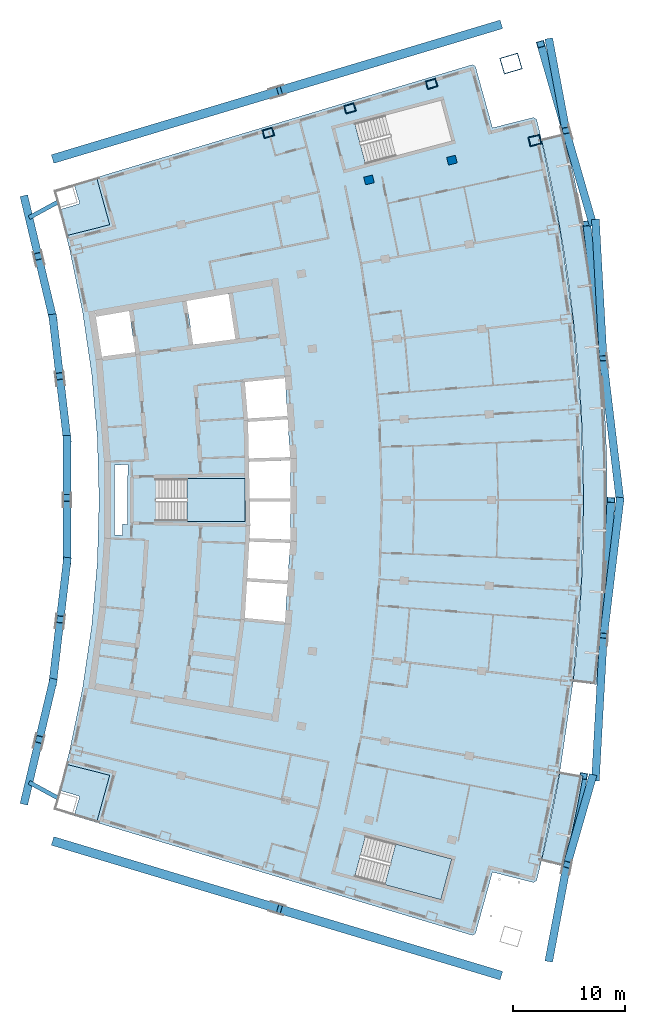
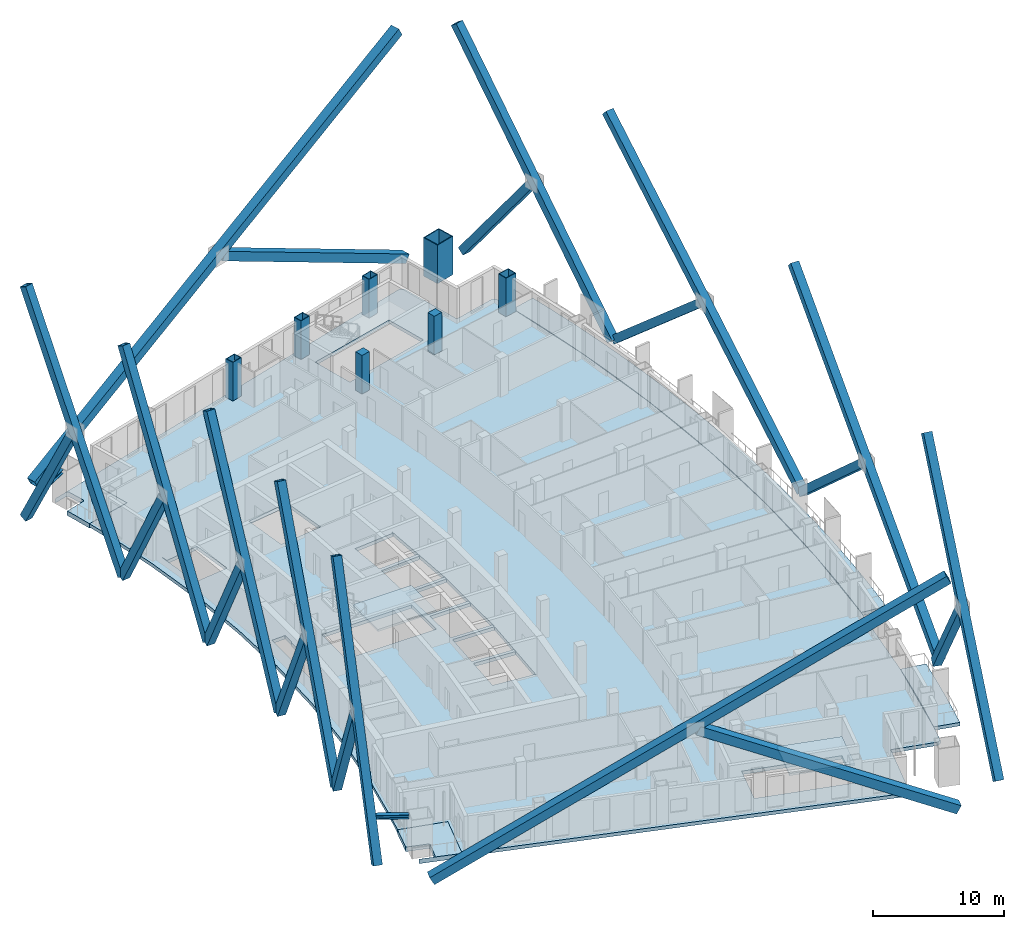
# One storey, part 8 of 20: 24 members, 7 columns, 7 slabs, 2 elements without a shape of their own.
"""IFC4 building model written with IfcOpenShell, lengths in metres."""

from ifc_helpers import new_model, si_unit, direction, frame, origin, origin_2d, place, context, subcontext, project, spatial, polyline, rectangle, hollow_rectangle, i_section, outline, extrude, material, layer, layer_set, material_profile, profile_set, type_object, element, aggregate, save


model = new_model("IFC4")

# Units and contexts
model_context = context("Model", 3, precision=1e-05, world=origin(), true_north=direction((0.0, 1.0)))
body_context = subcontext(model_context, "Body", "Model", "MODEL_VIEW")
ifc_project = project(units=[si_unit("LENGTHUNIT", "METRE"), si_unit("AREAUNIT", "SQUARE_METRE"), si_unit("VOLUMEUNIT", "CUBIC_METRE"), si_unit("PLANEANGLEUNIT", "RADIAN"), si_unit("MASSUNIT", "GRAM", prefix="KILO")], contexts=[model_context])

# Site, building, storey
site_placement = place(None, origin())
site = spatial("IfcSite", under=ifc_project, at=site_placement, CompositionType="ELEMENT")
building_placement = place(site_placement, origin())
building = spatial("IfcBuilding", under=site, at=building_placement, Name="Alderwake Tower", CompositionType="ELEMENT")
storey_placement = place(building_placement, frame((0.0, 0.0, 189.199951171875)))
storey = spatial("IfcBuildingStorey", under=building, at=storey_placement, Name="L46", CompositionType="ELEMENT", Elevation=189.199951171875)

# Columns
ifc_material_1 = material(Name="Steel ASTM A572 Grade 50 concrete filled C70/85", Category="concrete")
ifc_material_profile_1 = material_profile(ifc_material_1, hollow_rectangle(XDim=0.75, YDim=0.949951171875, WallThickness=0.054931640625, at=origin_2d()), Name="BOX 950X750X55")
ifc_profile_set_1 = profile_set([ifc_material_profile_1], Name="Steel ASTM A572 Grade 50 concrete filled C70/85")
column_type_1 = type_object("IfcColumnType", Name="End column Z4", PredefinedType="COLUMN", material=ifc_profile_set_1)
for number, where, z_axis, x_axis, name in (
    (1, (31.080322265625, 93.72314453125, 0.0), (0.0, 0.0, 1.0), (-0.282582549822, 0.959242984095, 0.0), "Column R12-C2"),
    (2, (38.359619140625, 95.908447265625, 0.0), (0.0, 0.0, 1.0), (-0.282888913059, 0.959152679644, 0.0), "Column R12-C3"),
    (3, (45.638671875, 98.093994140625, 0.0), (0.0, 0.0, 1.0), (-0.283160095779, 0.95907265635, 0.0), "Column R12-C4"),
):
    element("IfcColumn", number, at=place(storey_placement, frame(where, z_axis=z_axis, x_axis=x_axis)), inside=storey, type_object=column_type_1, Name=name, PredefinedType="COLUMN", context=body_context, shape_type="SweptSolid", body=[
        extrude(hollow_rectangle(XDim=0.75, YDim=0.949951171875, WallThickness=0.054931640625, at=origin_2d()), origin(), (0.0, 0.0, 1.0), 3.60009765625),
    ])
ifc_material_2 = material(Name="Concrete C70/85", Category="concrete")
ifc_material_profile_2 = material_profile(ifc_material_2, rectangle(XDim=0.699951171875, YDim=0.800048828125, at=origin_2d()), Name="RC 800X700")
ifc_profile_set_2 = profile_set([ifc_material_profile_2], Name="Concrete C70/85")
column_type_2 = type_object("IfcColumnType", Name="Interior column Z4", PredefinedType="COLUMN", material=ifc_profile_set_2)
for number, where, z_axis, x_axis, name in (
    (4, (40.055908203125, 89.53271484375, 0.0), (0.0, 0.0, 1.0), (-0.231221547198, 0.972901123502, 0.0), "Column R11-C3"),
    (5, (47.449951171875, 91.2900390625, 0.0), (0.0, 0.0, 1.0), (-0.231221547198, 0.972901123502, 0.0), "Column R11-C4"),
):
    element("IfcColumn", number, at=place(storey_placement, frame(where, z_axis=z_axis, x_axis=x_axis)), inside=storey, type_object=column_type_2, Name=name, PredefinedType="COLUMN", context=body_context, shape_type="SweptSolid", body=[
        extrude(rectangle(XDim=0.699951171875, YDim=0.800048828125, at=origin_2d()), origin(), (0.0, 0.0, 1.0), 3.60009765625),
    ])
ifc_material_3 = material(Name="Steel ASTM A572 Grade 50 concrete filled C70/85", Category="concrete")
ifc_material_profile_3 = material_profile(ifc_material_3, hollow_rectangle(XDim=1.5, YDim=1.699951171875, WallThickness=0.074951171875, at=origin_2d()), Name="BOX 1700X1500X75")
ifc_profile_set_3 = profile_set([ifc_material_profile_3], Name="Steel ASTM A572 Grade 50 concrete filled C70/85")
column_type_3 = type_object("IfcColumnType", Name="Mega column Z4", PredefinedType="COLUMN", material=ifc_profile_set_3)
column_1_placement = place(storey_placement, frame((52.714599609375, 99.906982421875, 0.0), z_axis=(0.0, 0.0, 1.0), x_axis=(-0.281323312272, 0.959613043874, 0.0)))
element("IfcColumn", 6, at=column_1_placement, inside=storey, type_object=column_type_3, Name="Column R12-C5", PredefinedType="COLUMN", context=body_context, shape_type="SweptSolid", body=[
    extrude(hollow_rectangle(XDim=1.5, YDim=1.699951171875, WallThickness=0.074951171875, at=origin_2d()), origin(), (0.0, 0.0, 1.0), 3.60009765625),
])
ifc_material_4 = material(Name="Steel ASTM A572 Grade 50 concrete filled C70/85", Category="concrete")
ifc_material_profile_4 = material_profile(ifc_material_4, hollow_rectangle(XDim=0.85009765625, YDim=1.050048828125, WallThickness=0.054931640625, at=origin_2d()), Name="BOX 1050X850X55")
ifc_profile_set_4 = profile_set([ifc_material_profile_4], Name="Steel ASTM A572 Grade 50 concrete filled C70/85")
column_type_4 = type_object("IfcColumnType", Name="Perimeter column Z4", PredefinedType="COLUMN", material=ifc_profile_set_4)
column_2_placement = place(storey_placement, frame((54.843994140625, 93.04736328125, 0.0), z_axis=(0.0, 0.0, 1.0), x_axis=(-0.231221547198, 0.972901123502, 0.0)))
element("IfcColumn", 7, at=column_2_placement, inside=storey, type_object=column_type_4, Name="Column R11-C5", PredefinedType="COLUMN", context=body_context, shape_type="SweptSolid", body=[
    extrude(hollow_rectangle(XDim=0.85009765625, YDim=1.050048828125, WallThickness=0.054931640625, at=origin_2d()), origin(), (0.0, 0.0, 1.0), 3.60009765625),
])

# Members
ifc_material_5 = material(Name="Steel ASTM A992 Grade 50", Category="steel")
ifc_material_profile_5 = material_profile(ifc_material_5, i_section(OverallWidth=0.3740234375, OverallDepth=0.372314453125, WebThickness=0.016357421875, FlangeThickness=0.026123046875, at=origin_2d()), Name="W14X132")
ifc_profile_set_5 = profile_set([ifc_material_profile_5], Name="Steel ASTM A992 Grade 50")
member_type_1 = type_object("IfcMemberType", Name="Brace node stub W14X132", PredefinedType="MEMBER", material=ifc_profile_set_5)
for number, where, z_axis, x_axis, name in (
    (8, (12.35009765625, 34.422119140625, 3.393798828125), (-0.878318361421, 0.478076203121, 0.0), (-0.478076203121, -0.878318361421, 0.0), "Brace node stub BS.RR02-C0.1928"),
    (9, (12.35009765625, 87.577880859375, 3.393798828125), (-0.878318361421, -0.478076203121, 0.0), (0.478076203121, -0.878318361421, 0.0), "Brace node stub BS.RR12-C0.1928"),
):
    element("IfcMember", number, at=place(storey_placement, frame(where, z_axis=z_axis, x_axis=x_axis)), inside=storey, type_object=member_type_1, Name=name, PredefinedType="MEMBER", context=body_context, shape_type="SweptSolid", body=[
        extrude(i_section(OverallWidth=0.3740234375, OverallDepth=0.372314453125, WebThickness=0.016357421875, FlangeThickness=0.026123046875, at=origin_2d()), origin(), (0.0, 0.0, 1.0), 2.954833984375),
    ])
ifc_material_6 = material(Name="Steel ASTM A572 Grade 50", Category="steel")
ifc_material_profile_6 = material_profile(ifc_material_6, hollow_rectangle(XDim=0.800048828125, YDim=0.800048828125, WallThickness=0.050048828125, at=origin_2d()), Name="BOX 800X800X50")
ifc_profile_set_6 = profile_set([ifc_material_profile_6], Name="Steel ASTM A572 Grade 50")
member_type_2 = type_object("IfcMemberType", Name="Mega brace end Z4", PredefinedType="BRACE", material=ifc_profile_set_6)
member_1_placement = place(storey_placement, frame((12.031005859375, 30.550537109375, 0.0), z_axis=(0.84554955882, -0.253853327915, 0.46968546016), x_axis=(0.287543725396, 0.957767511448, 0.0)))
element("IfcMember", 10, at=member_1_placement, inside=storey, type_object=member_type_2, Name="Brace BRS4.1.0A", PredefinedType="BRACE", context=body_context, shape_type="SweptSolid", body=[
    extrude(hollow_rectangle(XDim=0.800048828125, YDim=0.800048828125, WallThickness=0.050048828125, at=origin_2d()), origin(), (0.0, 0.0, 1.0), 45.988525390625),
])
member_2_placement = place(storey_placement, frame((51.6826171875, 18.64599609375, 0.0), z_axis=(-0.849141505693, 0.25493701976, 0.462564394723), x_axis=(-0.287549216554, -0.95776586286, 0.0)))
element("IfcMember", 11, at=member_2_placement, inside=storey, type_object=member_type_2, Name="Brace BRS4.1.0B1", PredefinedType="BRACE", context=body_context, shape_type="SweptSolid", body=[
    extrude(hollow_rectangle(XDim=0.800048828125, YDim=0.800048828125, WallThickness=0.050048828125, at=origin_2d()), origin(), (0.0, 0.0, 1.0), 23.087890625),
])
member_3_placement = place(storey_placement, frame((12.031005859375, 91.449462890625, 0.0), z_axis=(0.84554955882, 0.253853327915, 0.46968546016), x_axis=(-0.287543725396, 0.957767511448, 0.0)))
element("IfcMember", 12, at=member_3_placement, inside=storey, type_object=member_type_2, Name="Brace BRN4.1.0A", PredefinedType="BRACE", context=body_context, shape_type="SweptSolid", body=[
    extrude(hollow_rectangle(XDim=0.800048828125, YDim=0.800048828125, WallThickness=0.050048828125, at=origin_2d()), origin(), (0.0, 0.0, 1.0), 45.988525390625),
])
member_4_placement = place(storey_placement, frame((51.6826171875, 103.35400390625, 0.0), z_axis=(-0.849141505693, -0.25493701976, 0.462564394723), x_axis=(0.287549216554, -0.95776586286, 0.0)))
element("IfcMember", 13, at=member_4_placement, inside=storey, type_object=member_type_2, Name="Brace BRN4.1.0B1", PredefinedType="BRACE", context=body_context, shape_type="SweptSolid", body=[
    extrude(hollow_rectangle(XDim=0.800048828125, YDim=0.800048828125, WallThickness=0.050048828125, at=origin_2d()), origin(), (0.0, 0.0, 1.0), 23.087890625),
])
ifc_material_7 = material(Name="Steel ASTM A572 Grade 50", Category="steel")
ifc_material_profile_7 = material_profile(ifc_material_7, hollow_rectangle(XDim=0.699951171875, YDim=0.699951171875, WallThickness=0.044921875, at=origin_2d()), Name="BOX 700X700X45")
ifc_profile_set_7 = profile_set([ifc_material_profile_7], Name="Steel ASTM A572 Grade 50")
member_type_3 = type_object("IfcMemberType", Name="Mega brace face Z4", PredefinedType="BRACE", material=ifc_profile_set_7)
member_5_placement = place(storey_placement, frame((56.1337890625, 20.128662109375, 0.0), z_axis=(0.111836754158, 0.597730842027, 0.793857909773), x_axis=(-0.982942940068, 0.183910784271, 0.0)))
element("IfcMember", 14, at=member_5_placement, inside=storey, type_object=member_type_3, Name="Brace BRF4.1.2A", PredefinedType="BRACE", context=body_context, shape_type="SweptSolid", body=[
    extrude(hollow_rectangle(XDim=0.699951171875, YDim=0.699951171875, WallThickness=0.044921875, at=origin_2d()), origin(), (0.0, 0.0, 1.0), 27.208984375),
])
member_6_placement = place(storey_placement, frame((59.9658203125, 36.252685546875, 0.0), z_axis=(-0.169049717285, -0.584126983967, 0.79386262016), x_axis=(0.960581687896, -0.277997879271, 0.0)))
element("IfcMember", 15, at=member_6_placement, inside=storey, type_object=member_type_3, Name="Brace BRF4.1.2B1", PredefinedType="BRACE", context=body_context, shape_type="SweptSolid", body=[
    extrude(hollow_rectangle(XDim=0.699951171875, YDim=0.699951171875, WallThickness=0.044921875, at=origin_2d()), origin(), (0.0, 0.0, 1.0), 13.279296875),
])
member_7_placement = place(storey_placement, frame((60.25732421875, 36.201416015625, 0.0), z_axis=(0.041699696039, 0.753405660828, 0.656232463067), x_axis=(-0.998471795057, 0.055263681337, 0.0)))
element("IfcMember", 16, at=member_7_placement, inside=storey, type_object=member_type_3, Name="Brace BRF4.1.4A", PredefinedType="BRACE", context=body_context, shape_type="SweptSolid", body=[
    extrude(hollow_rectangle(XDim=0.699951171875, YDim=0.699951171875, WallThickness=0.044921875, at=origin_2d()), origin(), (0.0, 0.0, 1.0), 32.915283203125),
])
member_8_placement = place(storey_placement, frame((62.432861328125, 61.0, 0.0), z_axis=(-0.090110527281, -0.749157152141, 0.656234450687), x_axis=(0.992843615327, -0.11942175474, 0.0)))
element("IfcMember", 17, at=member_8_placement, inside=storey, type_object=member_type_3, Name="Brace BRF4.1.4B1", PredefinedType="BRACE", context=body_context, shape_type="SweptSolid", body=[
    extrude(hollow_rectangle(XDim=0.699951171875, YDim=0.699951171875, WallThickness=0.044921875, at=origin_2d()), origin(), (0.0, 0.0, 1.0), 16.147705078125),
])
member_9_placement = place(storey_placement, frame((62.432861328125, 61.0, 0.0), z_axis=(-0.090119057595, 0.749160096644, 0.656229917829), x_axis=(-0.99284233052, -0.119432435827, 0.0)))
element("IfcMember", 18, at=member_9_placement, inside=storey, type_object=member_type_3, Name="Brace BRF4.1.7A", PredefinedType="BRACE", context=body_context, shape_type="SweptSolid", body=[
    extrude(hollow_rectangle(XDim=0.699951171875, YDim=0.699951171875, WallThickness=0.044921875, at=origin_2d()), origin(), (0.0, 0.0, 1.0), 32.91552734375),
])
member_10_placement = place(storey_placement, frame((60.25732421875, 85.798583984375, 0.0), z_axis=(0.041698745147, -0.753404702464, 0.656233623764), x_axis=(0.998471860714, 0.05526249507, 0.0)))
element("IfcMember", 19, at=member_10_placement, inside=storey, type_object=member_type_3, Name="Brace BRF4.1.7B1", PredefinedType="BRACE", context=body_context, shape_type="SweptSolid", body=[
    extrude(hollow_rectangle(XDim=0.699951171875, YDim=0.699951171875, WallThickness=0.044921875, at=origin_2d()), origin(), (0.0, 0.0, 1.0), 16.147705078125),
])
member_11_placement = place(storey_placement, frame((59.9658203125, 85.747314453125, 0.0), z_axis=(-0.169047804916, 0.584130153929, 0.793860694911), x_axis=(-0.960582930548, -0.27799358543, 0.0)))
element("IfcMember", 20, at=member_11_placement, inside=storey, type_object=member_type_3, Name="Brace BRF4.1.10A", PredefinedType="BRACE", context=body_context, shape_type="SweptSolid", body=[
    extrude(hollow_rectangle(XDim=0.699951171875, YDim=0.699951171875, WallThickness=0.044921875, at=origin_2d()), origin(), (0.0, 0.0, 1.0), 27.208984375),
])
member_12_placement = place(storey_placement, frame((56.1337890625, 101.871337890625, 0.0), z_axis=(0.111835245386, -0.597729327303, 0.793859262824), x_axis=(0.982943304337, 0.183908837361, 0.0)))
element("IfcMember", 21, at=member_12_placement, inside=storey, type_object=member_type_3, Name="Brace BRF4.1.10B1", PredefinedType="BRACE", context=body_context, shape_type="SweptSolid", body=[
    extrude(hollow_rectangle(XDim=0.699951171875, YDim=0.699951171875, WallThickness=0.044921875, at=origin_2d()), origin(), (0.0, 0.0, 1.0), 13.279541015625),
])
member_13_placement = place(storey_placement, frame((9.359619140625, 34.171630859375, 0.0), z_axis=(0.104006014518, 0.437626782623, 0.893121239292), x_axis=(-0.972901726667, 0.23121900927, 0.0)))
element("IfcMember", 22, at=member_13_placement, inside=storey, type_object=member_type_3, Name="Brace BRR4.1.2A", PredefinedType="BRACE", context=body_context, shape_type="SweptSolid", body=[
    extrude(hollow_rectangle(XDim=0.699951171875, YDim=0.699951171875, WallThickness=0.044921875, at=origin_2d()), origin(), (0.0, 0.0, 1.0), 24.18505859375),
])
member_14_placement = place(storey_placement, frame((11.875, 44.755615234375, 0.0), z_axis=(-0.104005869599, -0.437625019805, 0.893122119942), x_axis=(0.972901589623, -0.231219585909, 0.0)))
element("IfcMember", 23, at=member_14_placement, inside=storey, type_object=member_type_3, Name="Brace BRR4.1.2B1", PredefinedType="BRACE", context=body_context, shape_type="SweptSolid", body=[
    extrude(hollow_rectangle(XDim=0.699951171875, YDim=0.699951171875, WallThickness=0.044921875, at=origin_2d()), origin(), (0.0, 0.0, 1.0), 11.65234375),
])
member_15_placement = place(storey_placement, frame((11.875, 44.755615234375, 0.0), z_axis=(0.052361265351, 0.446761619557, 0.893119450679), x_axis=(-0.993201825706, 0.116405040331, 0.0)))
element("IfcMember", 24, at=member_15_placement, inside=storey, type_object=member_type_3, Name="Brace BRR4.1.4A", PredefinedType="BRACE", context=body_context, shape_type="SweptSolid", body=[
    extrude(hollow_rectangle(XDim=0.699951171875, YDim=0.699951171875, WallThickness=0.044921875, at=origin_2d()), origin(), (0.0, 0.0, 1.0), 24.18505859375),
])
member_16_placement = place(storey_placement, frame((13.141357421875, 55.560546875, 0.0), z_axis=(-0.052359035792, -0.44675939183, 0.893120695753), x_axis=(0.993202331639, -0.11640072348, 0.0)))
element("IfcMember", 25, at=member_16_placement, inside=storey, type_object=member_type_3, Name="Brace BRR4.1.4B1", PredefinedType="BRACE", context=body_context, shape_type="SweptSolid", body=[
    extrude(hollow_rectangle(XDim=0.699951171875, YDim=0.699951171875, WallThickness=0.044921875, at=origin_2d()), origin(), (0.0, 0.0, 1.0), 11.65234375),
])
member_17_placement = place(storey_placement, frame((13.141357421875, 55.560546875, 0.0), z_axis=(0.0, 0.449820166102, 0.89311915116), x_axis=(-1.0, 0.0, 0.0)))
element("IfcMember", 26, at=member_17_placement, inside=storey, type_object=member_type_3, Name="Brace BRR4.1.6A", PredefinedType="BRACE", context=body_context, shape_type="SweptSolid", body=[
    extrude(hollow_rectangle(XDim=0.699951171875, YDim=0.699951171875, WallThickness=0.044921875, at=origin_2d()), origin(), (0.0, 0.0, 1.0), 24.18505859375),
])
member_18_placement = place(storey_placement, frame((13.141357421875, 66.439453125, 0.0), z_axis=(0.0, -0.449818123353, 0.893120179989), x_axis=(1.0, 0.0, 0.0)))
element("IfcMember", 27, at=member_18_placement, inside=storey, type_object=member_type_3, Name="Brace BRR4.1.6B1", PredefinedType="BRACE", context=body_context, shape_type="SweptSolid", body=[
    extrude(hollow_rectangle(XDim=0.699951171875, YDim=0.699951171875, WallThickness=0.044921875, at=origin_2d()), origin(), (0.0, 0.0, 1.0), 11.65234375),
])
member_19_placement = place(storey_placement, frame((13.141357421875, 66.439453125, 0.0), z_axis=(-0.052361265351, 0.446761619557, 0.893119450679), x_axis=(-0.993201825706, -0.116405040331, 0.0)))
element("IfcMember", 28, at=member_19_placement, inside=storey, type_object=member_type_3, Name="Brace BRR4.1.8A", PredefinedType="BRACE", context=body_context, shape_type="SweptSolid", body=[
    extrude(hollow_rectangle(XDim=0.699951171875, YDim=0.699951171875, WallThickness=0.044921875, at=origin_2d()), origin(), (0.0, 0.0, 1.0), 24.18505859375),
])
member_20_placement = place(storey_placement, frame((11.875, 77.244384765625, 0.0), z_axis=(0.05235854568, -0.446776161698, 0.893112335618), x_axis=(0.993202962699, 0.116395338763, 0.0)))
element("IfcMember", 29, at=member_20_placement, inside=storey, type_object=member_type_3, Name="Brace BRR4.1.8B1", PredefinedType="BRACE", context=body_context, shape_type="SweptSolid", body=[
    extrude(hollow_rectangle(XDim=0.699951171875, YDim=0.699951171875, WallThickness=0.044921875, at=origin_2d()), origin(), (0.0, 0.0, 1.0), 11.652587890625),
])
member_21_placement = place(storey_placement, frame((11.875, 77.244384765625, 0.0), z_axis=(-0.104006014518, 0.437626782623, 0.893121239292), x_axis=(-0.972901726667, -0.23121900927, 0.0)))
element("IfcMember", 30, at=member_21_placement, inside=storey, type_object=member_type_3, Name="Brace BRR4.1.10A", PredefinedType="BRACE", context=body_context, shape_type="SweptSolid", body=[
    extrude(hollow_rectangle(XDim=0.699951171875, YDim=0.699951171875, WallThickness=0.044921875, at=origin_2d()), origin(), (0.0, 0.0, 1.0), 24.18505859375),
])
member_22_placement = place(storey_placement, frame((9.359619140625, 87.828369140625, 0.0), z_axis=(0.104005869599, -0.437625019805, 0.893122119942), x_axis=(0.972901589623, 0.231219585909, 0.0)))
element("IfcMember", 31, at=member_22_placement, inside=storey, type_object=member_type_3, Name="Brace BRR4.1.10B1", PredefinedType="BRACE", context=body_context, shape_type="SweptSolid", body=[
    extrude(hollow_rectangle(XDim=0.699951171875, YDim=0.699951171875, WallThickness=0.044921875, at=origin_2d()), origin(), (0.0, 0.0, 1.0), 11.65234375),
])

# Slabs
ifc_material_8 = material(Name="Concrete C50/60", Category="concrete")
ifc_layer_1 = layer(ifc_material_8, 0.320068359375)
ifc_layer_set_1 = layer_set([ifc_layer_1], Name="Balcony slab 320")
slab_type_1 = type_object("IfcSlabType", Name="Balcony slab 320", PredefinedType="FLOOR", material=ifc_layer_set_1)
slab_1_placement = place(storey_placement, frame((0.0, 0.0, -0.320068359375)))
element("IfcSlab", 32, at=slab_1_placement, inside=storey, type_object=slab_type_1, Name="Balcony BF03", PredefinedType="FLOOR", context=body_context, shape_type="SweptSolid", body=[
    extrude(outline(polyline([(55.427734375, 28.81396484375), (57.470947265625, 28.328369140625), (57.9326171875, 30.33642578125), (58.365234375, 32.351318359375), (58.768310546875, 34.3720703125), (59.141845703125, 36.3984375), (57.073974609375, 36.76416015625), (56.705810546875, 34.767822265625), (56.308837890625, 32.777099609375), (55.8828125, 30.792236328125), (55.427734375, 28.81396484375)])), origin(), (0.0, 0.0, 1.0), 0.320068359375),
])
slab_2_placement = place(storey_placement, frame((0.0, 0.0, -0.320068359375)))
element("IfcSlab", 33, at=slab_2_placement, inside=storey, type_object=slab_type_1, Name="Balcony BF05", PredefinedType="FLOOR", context=body_context, shape_type="SweptSolid", body=[
    extrude(outline(polyline([(60.564453125, 46.6005859375), (60.759521484375, 48.652099609375), (60.924560546875, 50.7060546875), (61.059814453125, 52.76220703125), (61.164794921875, 54.820068359375), (61.239990234375, 56.87939453125), (61.284912109375, 58.939453125), (61.300048828125, 61.0), (61.284912109375, 63.060546875), (61.239990234375, 65.12060546875), (61.164794921875, 67.179931640625), (61.059814453125, 69.23779296875), (60.924560546875, 71.2939453125), (60.759521484375, 73.347900390625), (60.564453125, 75.3994140625), (60.339599609375, 77.447509765625), (60.084716796875, 79.492431640625), (59.800048828125, 81.533203125), (59.48583984375, 83.56982421875), (59.141845703125, 85.6015625), (58.768310546875, 87.6279296875), (58.365234375, 89.648681640625), (57.9326171875, 91.66357421875), (57.470947265625, 93.671630859375), (55.427734375, 93.18603515625), (55.8828125, 91.207763671875), (56.308837890625, 89.222900390625), (56.705810546875, 87.232177734375), (57.073974609375, 85.23583984375), (57.412841796875, 83.234375), (57.722412109375, 81.22802734375), (58.002685546875, 79.217529296875), (58.253662109375, 77.203125), (58.475341796875, 75.185302734375), (58.66748046875, 73.16455078125), (58.830078125, 71.14111328125), (58.963134765625, 69.115478515625), (59.06689453125, 67.088134765625), (59.140869140625, 65.059326171875), (59.185302734375, 63.02978515625), (59.199951171875, 61.0), (59.185302734375, 58.97021484375), (59.140869140625, 56.940673828125), (59.06689453125, 54.911865234375), (58.963134765625, 52.884521484375), (58.830078125, 50.85888671875), (58.66748046875, 48.83544921875), (58.475341796875, 46.814697265625), (58.253662109375, 44.796875), (60.339599609375, 44.552490234375), (60.564453125, 46.6005859375)])), origin(), (0.0, 0.0, 1.0), 0.320068359375),
])
ifc_material_9 = material(Name="Concrete C50/60", Category="concrete")
ifc_layer_2 = layer(ifc_material_9, 0.320068359375)
ifc_layer_set_2 = layer_set([ifc_layer_2], Name="Concrete C50/60 post-tensioned flat plate 320")
slab_type_2 = type_object("IfcSlabType", Name="Concrete C50/60 post-tensioned flat plate 320", PredefinedType="FLOOR", material=ifc_layer_set_2)
slab_3_placement = place(storey_placement, frame((0.0, 0.0, -0.320068359375)))
element("IfcSlab", 34, at=slab_3_placement, inside=storey, type_object=slab_type_2, Name="Floor slab L46", PredefinedType="FLOOR", context=body_context, shape_type="SweptSolid", body=[
    extrude(outline(polyline([(13.06494140625, 37.443115234375), (13.3984375, 38.802734375), (14.53369140625, 44.28564453125), (15.347412109375, 49.825439453125), (15.836669921875, 55.4033203125), (16.0, 61.0), (15.836669921875, 66.5966796875), (15.347412109375, 72.174560546875), (14.53369140625, 77.71435546875), (13.3984375, 83.197265625), (13.06494140625, 84.556884765625), (16.942626953125, 85.53857421875), (15.776611328125, 89.7548828125), (49.269775390625, 99.810546875), (49.55126953125, 99.65478515625), (51.06640625, 94.176025390625), (54.72119140625, 95.101318359375), (54.998779296875, 94.93408203125), (55.427734375, 93.18603515625), (57.073974609375, 85.23583984375), (58.253662109375, 77.203125), (58.963134765625, 69.115478515625), (59.199951171875, 61.0), (58.963134765625, 52.884521484375), (58.253662109375, 44.796875), (57.073974609375, 36.76416015625), (55.427734375, 28.81396484375), (54.998779296875, 27.06591796875), (54.72119140625, 26.898681640625), (51.06640625, 27.823974609375), (49.55126953125, 22.34521484375), (49.269775390625, 22.189453125), (15.776611328125, 32.2451171875), (16.942626953125, 36.46142578125), (13.06494140625, 37.443115234375)]), holes=[polyline([(28.9853515625, 50.4306640625), (28.989013671875, 50.430419921875), (28.994140625, 50.485595703125), (32.546875, 50.1376953125), (32.5322265625, 49.988525390625), (32.562255859375, 49.985595703125), (32.80126953125, 53.654541015625), (33.0400390625, 57.323486328125), (33.0400390625, 61.0), (33.0400390625, 64.676513671875), (32.80126953125, 68.345458984375), (32.562255859375, 72.014404296875), (32.532470703125, 72.011474609375), (32.547119140625, 71.8623046875), (28.993896484375, 71.514404296875), (29.256591796875, 68.264892578125), (32.761474609375, 68.4931640625), (32.771240234375, 68.343505859375), (32.781005859375, 68.19384765625), (29.278564453125, 67.9658203125), (29.274169921875, 68.032470703125), (29.2705078125, 68.0322265625), (29.34423828125, 64.70654296875), (33.005126953125, 64.82568359375), (33.010009765625, 64.67578125), (33.014892578125, 64.525634765625), (29.350830078125, 64.406494140625), (29.4228515625, 61.14990234375), (33.010009765625, 61.14990234375), (33.010009765625, 61.0), (33.010009765625, 60.85009765625), (29.429443359375, 60.85009765625), (29.4765625, 58.72314453125), (29.409423828125, 57.591552734375), (33.014892578125, 57.474365234375), (33.010009765625, 57.32421875), (33.005126953125, 57.17431640625), (29.395751953125, 57.291748046875), (29.39599609375, 57.3017578125), (29.392333984375, 57.302001953125), (29.198974609375, 54.039306640625), (32.781005859375, 53.80615234375), (32.771240234375, 53.656494140625), (32.761474609375, 53.5068359375), (29.181396484375, 53.739990234375), (28.9853515625, 50.4306640625)]), polyline([(21.050048828125, 62.875), (21.050048828125, 59.125), (29.0, 59.125), (29.0, 62.875), (21.050048828125, 62.875)]), polyline([(15.64111328125, 77.91015625), (15.487060546875, 77.8828125), (15.487548828125, 77.879150390625), (15.617919921875, 77.899169921875), (16.280029296875, 73.5927734375), (16.31005859375, 73.5966796875), (16.2841796875, 73.794921875), (19.224853515625, 74.1796875), (18.673095703125, 77.842041015625), (18.869140625, 77.87158203125), (18.8671875, 77.8837890625), (15.740234375, 77.340087890625), (15.64111328125, 77.91015625)]), polyline([(27.538330078125, 79.39111328125), (23.794921875, 78.740478515625), (24.384033203125, 74.8583984375), (24.36865234375, 74.856201171875), (24.369140625, 74.8525390625), (28.152587890625, 75.347412109375), (27.538330078125, 79.39111328125)]), polyline([(47.436279296875, 28.996826171875), (39.754150390625, 31.043212890625), (38.7890625, 27.41943359375), (46.47119140625, 25.373291015625), (47.436279296875, 28.996826171875)]), polyline([(46.47119140625, 96.626708984375), (38.7890625, 94.58056640625), (39.754150390625, 90.956787109375), (47.436279296875, 93.003173828125), (46.47119140625, 96.626708984375)]), polyline([(18.588623046875, 63.2333984375), (18.562744140625, 64.16357421875), (17.389404296875, 64.1220703125), (17.389404296875, 57.8779296875), (18.06298828125, 57.85400390625), (18.090576171875, 58.84375), (18.544189453125, 58.831298828125), (18.529296875, 58.8681640625), (18.5234375, 58.891845703125), (18.5185546875, 58.940673828125), (18.5185546875, 63.060302734375), (18.519775390625, 63.084716796875), (18.529296875, 63.1328125), (18.548095703125, 63.177978515625), (18.5751953125, 63.218994140625), (18.588623046875, 63.2333984375)])]), origin(), (0.0, 0.0, 1.0), 0.320068359375),
])

# Stair, slab
ifc_material_10 = material(Name="Concrete C40/50", Category="concrete")
stair_type = type_object("IfcStairType", Name="Core exit stair", PredefinedType="HALF_TURN_STAIR", material=ifc_material_10)
stair_1_placement = place(storey_placement, origin())
stair_1 = element("IfcStair", 35, at=stair_1_placement, inside=storey, type_object=stair_type, Name="L46 Exit Stair B", PredefinedType="HALF_TURN_STAIR")
ifc_material_11 = material(Name="Concrete C40/50", Category="concrete")
ifc_layer_3 = layer(ifc_material_11, 0.199951171875)
ifc_layer_set_3 = layer_set([ifc_layer_3], Name="Core stair landing 200")
slab_type_3 = type_object("IfcSlabType", Name="Core stair landing 200", PredefinedType="LANDING", material=ifc_layer_set_3)
slab_4_placement = place(storey_placement, frame((0.0, 0.0, 1.60009765625)))
slab_4 = element("IfcSlab", 36, at=slab_4_placement, type_object=slab_type_3, Name="ST-B landing 1", PredefinedType="LANDING", context=body_context, shape_type="SweptSolid", body=[
    extrude(outline(polyline([(23.830078125, 59.074951171875), (29.0, 59.074951171875), (29.0, 62.925048828125), (23.830078125, 62.925048828125), (23.830078125, 59.074951171875)])), origin(), (0.0, 0.0, 1.0), 0.199951171875),
])
aggregate(stair_1, [slab_4])

stair_2_placement = place(storey_placement, origin())
stair_2 = element("IfcStair", 37, at=stair_2_placement, inside=storey, type_object=stair_type, Name="L46 Exit Stair C", PredefinedType="HALF_TURN_STAIR")
slab_5_placement = place(storey_placement, frame((0.0, 0.0, 1.60009765625)))
slab_5 = element("IfcSlab", 38, at=slab_5_placement, type_object=slab_type_3, Name="ST-C landing 1", PredefinedType="LANDING", context=body_context, shape_type="SweptSolid", body=[
    extrude(outline(polyline([(41.475341796875, 26.703857421875), (46.47119140625, 25.373291015625), (47.436279296875, 28.996826171875), (42.4404296875, 30.32763671875), (41.475341796875, 26.703857421875)])), origin(), (0.0, 0.0, 1.0), 0.199951171875),
])
aggregate(stair_2, [slab_5])

# Slabs
ifc_material_12 = material(Name="Concrete C50/60", Category="concrete")
ifc_layer_4 = layer(ifc_material_12, 0.419921875)
ifc_layer_set_4 = layer_set([ifc_layer_4], Name="Terrace slab 420")
slab_type_4 = type_object("IfcSlabType", Name="Terrace slab 420", PredefinedType="FLOOR", material=ifc_layer_set_4)
slab_6_placement = place(storey_placement, frame((0.0, 0.0, -0.419921875)))
element("IfcSlab", 39, at=slab_6_placement, inside=storey, type_object=slab_type_4, Name="Corner terrace RS", PredefinedType="FLOOR", context=body_context, shape_type="SweptSolid", body=[
    extrude(outline(polyline([(15.776611328125, 32.2451171875), (12.517333984375, 33.2236328125), (13.628662109375, 32.901123046875), (13.64306640625, 32.897705078125), (13.65771484375, 32.895751953125), (13.67236328125, 32.895263671875), (13.68701171875, 32.896240234375), (13.701416015625, 32.8984375), (13.7158203125, 32.90234375), (13.7294921875, 32.907470703125), (13.742919921875, 32.913818359375), (13.75537109375, 32.921630859375), (13.76708984375, 32.930419921875), (13.77783203125, 32.9404296875), (13.78759765625, 32.951416015625), (13.796142578125, 32.96337890625), (13.8037109375, 32.976318359375), (13.809814453125, 32.989501953125), (13.814453125, 33.00341796875), (14.232421875, 34.444091796875), (14.23583984375, 34.45849609375), (14.23779296875, 34.472900390625), (14.23828125, 34.48779296875), (14.237548828125, 34.50244140625), (14.235107421875, 34.516845703125), (14.2314453125, 34.53125), (14.226318359375, 34.544921875), (14.2197265625, 34.55810546875), (14.212158203125, 34.57080078125), (14.203125, 34.58251953125), (14.193115234375, 34.59326171875), (14.18212890625, 34.60302734375), (14.170166015625, 34.611572265625), (14.157470703125, 34.618896484375), (14.14404296875, 34.625244140625), (14.130126953125, 34.6298828125), (12.49755859375, 35.103515625), (12.483154296875, 35.10693359375), (12.468505859375, 35.10888671875), (12.453857421875, 35.109619140625), (12.4404296875, 35.108642578125), (12.71142578125, 36.08837890625), (13.06494140625, 37.443115234375), (16.942626953125, 36.46142578125), (15.776611328125, 32.2451171875)])), origin(), (0.0, 0.0, 1.0), 0.419921875),
])
slab_7_placement = place(storey_placement, frame((0.0, 0.0, -0.419921875)))
element("IfcSlab", 40, at=slab_7_placement, inside=storey, type_object=slab_type_4, Name="Corner terrace RN", PredefinedType="FLOOR", context=body_context, shape_type="SweptSolid", body=[
    extrude(outline(polyline([(12.4404296875, 86.891357421875), (12.453857421875, 86.890380859375), (12.468505859375, 86.89111328125), (12.483154296875, 86.89306640625), (12.49755859375, 86.896484375), (14.130126953125, 87.3701171875), (14.14404296875, 87.374755859375), (14.157470703125, 87.381103515625), (14.170166015625, 87.388427734375), (14.18212890625, 87.39697265625), (14.193115234375, 87.40673828125), (14.203125, 87.41748046875), (14.212158203125, 87.42919921875), (14.2197265625, 87.44189453125), (14.226318359375, 87.455078125), (14.2314453125, 87.46875), (14.235107421875, 87.483154296875), (14.237548828125, 87.49755859375), (14.23828125, 87.51220703125), (14.23779296875, 87.527099609375), (14.23583984375, 87.54150390625), (14.232421875, 87.555908203125), (13.814453125, 88.99658203125), (13.809814453125, 89.010498046875), (13.8037109375, 89.023681640625), (13.796142578125, 89.03662109375), (13.78759765625, 89.048583984375), (13.77783203125, 89.0595703125), (13.76708984375, 89.069580078125), (13.75537109375, 89.078369140625), (13.742919921875, 89.086181640625), (13.7294921875, 89.092529296875), (13.7158203125, 89.09765625), (13.701416015625, 89.1015625), (13.68701171875, 89.103759765625), (13.67236328125, 89.104736328125), (13.65771484375, 89.104248046875), (13.64306640625, 89.102294921875), (13.628662109375, 89.098876953125), (12.517333984375, 88.7763671875), (15.776611328125, 89.7548828125), (16.942626953125, 85.53857421875), (13.06494140625, 84.556884765625), (12.71142578125, 85.91162109375), (12.4404296875, 86.891357421875)])), origin(), (0.0, 0.0, 1.0), 0.419921875),
])

save(model, "model.ifc")
